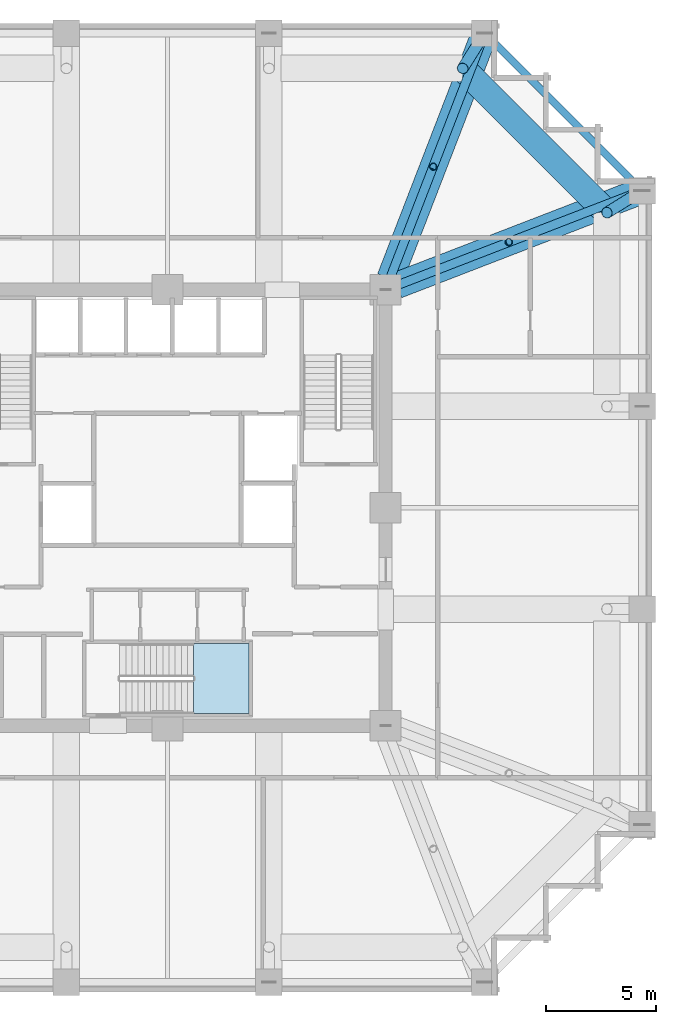
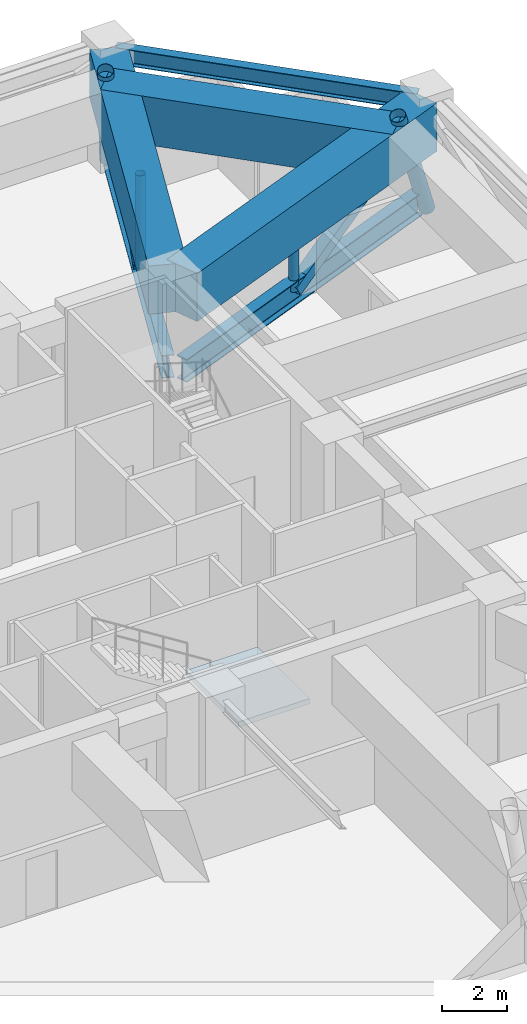
# One storey, part 6 of 15: 6 beams, 6 members, 1 slab, 1 element without a shape of its own.
"""IFC4 building model written with IfcOpenShell, lengths in metres."""

import ifcopenshell
import ifcopenshell.guid

model = None  # the IFC model being written
_history = None  # IfcOwnerHistory: only IFC2X3 demands one
_inside = {}  # id of a spatial element -> (the spatial element, [elements in it])
_under = {}  # id of a project, library or spatial element -> (it, [spatial elements below it])
_declared = {}  # id of a project -> (the project, [libraries it declares])
_typed = {}  # id of a type object -> (the type object, [elements of that type])
_made_of = {}  # id of a material, layer set ... -> (it, [elements and type objects made of it])


def new_model(schema):
    """Start an empty IFC model of exactly this schema.

    Asked for "IFC4X3", IfcOpenShell would pick the latest addendum, in which some entities
    have other attributes; the version numbers below select the first issue.
    IFC2X3 requires an IfcOwnerHistory on every rooted entity: one is made here for all.
    """
    global model, _history
    if schema == "IFC4X3":
        model = ifcopenshell.file(schema_version=(4, 3, 0, 0))
    else:
        model = ifcopenshell.file(schema=schema)
    _inside.clear()
    _under.clear()
    _declared.clear()
    _typed.clear()
    _made_of.clear()
    _history = None
    if model.schema == "IFC2X3":
        org = make("IfcOrganization", Name="unknown")
        user = make(
            "IfcPersonAndOrganization",
            ThePerson=make("IfcPerson", FamilyName="unknown"),
            TheOrganization=org,
        )
        app = make(
            "IfcApplication",
            ApplicationDeveloper=org,
            Version="unknown",
            ApplicationFullName="unknown",
            ApplicationIdentifier="unknown",
        )
        _history = make(
            "IfcOwnerHistory",
            OwningUser=user,
            OwningApplication=app,
            ChangeAction="ADDED",
            CreationDate=0,
        )
    return model


def make(cls, **values):
    """One entity of the class cls with the attributes given. An attribute that is None is left unset."""
    return model.create_entity(
        cls, **{name: value for name, value in values.items() if value is not None}
    )


def rooted(cls, **values):
    """An entity with a GlobalId (a new one), such as an element, a storey or a relation."""
    return make(cls, GlobalId=ifcopenshell.guid.new(), OwnerHistory=_history, **values)


def si_unit(unit_type, name, prefix=None):
    """IfcSIUnit, for example si_unit("LENGTHUNIT", "METRE", prefix="MILLI")."""
    return make("IfcSIUnit", UnitType=unit_type, Prefix=prefix, Name=name)


def assignment(units):
    """IfcUnitAssignment: the units of a project."""
    return None if units is None else make("IfcUnitAssignment", Units=units)


def point(xyz):
    """IfcCartesianPoint."""
    return None if xyz is None else make("IfcCartesianPoint", Coordinates=xyz)


def direction(xyz):
    """IfcDirection."""
    return None if xyz is None else make("IfcDirection", DirectionRatios=xyz)


def frame(location, z_axis=None, x_axis=None):
    """IfcAxis2Placement3D, a coordinate frame: its origin and axes. An axis left out is left unset."""
    return make(
        "IfcAxis2Placement3D",
        Location=point(location),
        Axis=direction(z_axis),
        RefDirection=direction(x_axis),
    )


def frame_2d(location, x_axis=None):
    """IfcAxis2Placement2D, a coordinate frame in the plane: its origin and x axis."""
    return make(
        "IfcAxis2Placement2D", Location=point(location), RefDirection=direction(x_axis)
    )


def origin():
    """The frame at (0, 0, 0) with its axes left unset."""
    return frame((0.0, 0.0, 0.0))


def origin_2d():
    """The frame at (0, 0) in the plane with its x axis left unset."""
    return frame_2d((0.0, 0.0))


def place(relative_to, where):
    """IfcLocalPlacement: puts the frame where relative to a parent placement (None: the world)."""
    return make(
        "IfcLocalPlacement", PlacementRelTo=relative_to, RelativePlacement=where
    )


def context(
    kind, dimensions, precision=None, world=None, true_north=None, identifier=None
):
    """IfcGeometricRepresentationContext, for example the 3D "Model" context."""
    return make(
        "IfcGeometricRepresentationContext",
        ContextIdentifier=identifier,
        ContextType=kind,
        CoordinateSpaceDimension=dimensions,
        Precision=precision,
        WorldCoordinateSystem=world,
        TrueNorth=true_north,
    )


def subcontext(parent, identifier, kind, view, scale=None):
    """IfcGeometricRepresentationSubContext, for example "Body" below "Model"."""
    return make(
        "IfcGeometricRepresentationSubContext",
        ContextIdentifier=identifier,
        ContextType=kind,
        ParentContext=parent,
        TargetScale=scale,
        TargetView=view,
    )


def project(units=None, contexts=None):
    """IfcProject with its units and contexts."""
    return rooted(
        "IfcProject",
        Name="project",
        RepresentationContexts=contexts,
        UnitsInContext=assignment(units),
    )


def spatial(cls, under=None, at=None, **own):
    """A site, building, storey or space (cls), placed at a placement, below another one or the project."""
    s = rooted(cls, ObjectPlacement=at, **own)
    if under is not None:
        _under.setdefault(under.id(), (under, []))[1].append(s)
    return s


def polyline(points):
    """IfcPolyline through the points."""
    return make("IfcPolyline", Points=[point(p) for p in points])


def profile(cls, at=None, kind="AREA", **sizes):
    """A parametric profile (cls). Its sizes go by their IFC names, for example OverallWidth=200.0."""
    return make(cls, ProfileType=kind, Position=at, **sizes)


def rectangle(**sizes):
    """IfcRectangleProfileDef."""
    return profile("IfcRectangleProfileDef", **sizes)


def hollow_rectangle(**sizes):
    """IfcRectangleHollowProfileDef."""
    return profile("IfcRectangleHollowProfileDef", **sizes)


def hollow_circle(**sizes):
    """IfcCircleHollowProfileDef."""
    return profile("IfcCircleHollowProfileDef", **sizes)


def i_section(**sizes):
    """IfcIShapeProfileDef."""
    return profile("IfcIShapeProfileDef", **sizes)


def outline(outer, holes=None, kind="AREA"):
    """IfcArbitraryClosedProfileDef: a profile drawn as a closed curve; with holes, ...WithVoids."""
    if holes is None:
        return make("IfcArbitraryClosedProfileDef", ProfileType=kind, OuterCurve=outer)
    return make(
        "IfcArbitraryProfileDefWithVoids",
        ProfileType=kind,
        OuterCurve=outer,
        InnerCurves=holes,
    )


def extrude(swept, where, along, depth):
    """IfcExtrudedAreaSolid: the profile swept, set in the frame where, extruded along a direction by depth."""
    return make(
        "IfcExtrudedAreaSolid",
        SweptArea=swept,
        Position=where,
        ExtrudedDirection=direction(along),
        Depth=depth,
    )


def shape(context_of_items, identifier, shape_type, items):
    """IfcShapeRepresentation: the items that make up one representation, for example the "Body"."""
    return make(
        "IfcShapeRepresentation",
        ContextOfItems=context_of_items,
        RepresentationIdentifier=identifier,
        RepresentationType=shape_type,
        Items=items,
    )


def material(Name=None, Category=None):
    """IfcMaterial."""
    return make("IfcMaterial", Name=Name, Category=Category)


def layer(
    of_material, thickness, ventilated=None, Name=None, Category=None, Priority=None
):
    """IfcMaterialLayer: one layer of a wall or slab, of a material (None: an air gap)."""
    return make(
        "IfcMaterialLayer",
        Material=of_material,
        LayerThickness=thickness,
        IsVentilated=ventilated,
        Name=Name,
        Category=Category,
        Priority=Priority,
    )


def layer_set(layers, Name=None):
    """IfcMaterialLayerSet."""
    return make("IfcMaterialLayerSet", MaterialLayers=layers, LayerSetName=Name)


def material_profile(
    of_material, cross_section, Name=None, Category=None, Priority=None
):
    """IfcMaterialProfile: a cross section and its material."""
    return make(
        "IfcMaterialProfile",
        Name=Name,
        Material=of_material,
        Profile=cross_section,
        Priority=Priority,
        Category=Category,
    )


def profile_set(profiles, Name=None, composite=None):
    """IfcMaterialProfileSet."""
    return make(
        "IfcMaterialProfileSet",
        Name=Name,
        MaterialProfiles=profiles,
        CompositeProfile=composite,
    )


def made_of(thing, what):
    """Note that an element or type object is made of a material, layer set ...; save() writes the relation."""
    if what is not None:
        _made_of.setdefault(what.id(), (what, []))[1].append(thing)
    return thing


def type_object(cls, material=None, **own):
    """A type object (cls), such as IfcWallType, which elements share."""
    return made_of(rooted(cls, **own), material)


def element(
    cls,
    number,
    at=None,
    inside=None,
    cuts=None,
    type_object=None,
    material=None,
    context=None,
    identifier="Body",
    shape_type=None,
    held_by="IfcProductDefinitionShape",
    body=None,
    shapes=None,
    **own,
):
    """One element of the class cls, such as IfcWall. Its Tag is "e" and its number.

    at: its placement. inside: the storey or other place that contains it. cuts: it is an
    opening in that element (IfcRelVoidsElement). A single representation is given by context,
    identifier, shape_type and body (its items); several are given by shapes. held_by: the class
    of the entity that holds the representations. save() writes the other relations.
    """
    e = rooted(cls, Tag="e%d" % number, ObjectPlacement=at, **own)
    if body is not None:
        shapes = [shape(context, identifier, shape_type, body)]
    if shapes is not None:
        e.Representation = make(held_by, Representations=shapes)
    if inside is not None:
        _inside.setdefault(inside.id(), (inside, []))[1].append(e)
    if cuts is not None:
        rooted(
            "IfcRelVoidsElement", RelatingBuildingElement=cuts, RelatedOpeningElement=e
        )
    if type_object is not None:
        _typed.setdefault(type_object.id(), (type_object, []))[1].append(e)
    return made_of(e, material)


def aggregate(whole, parts):
    """IfcRelAggregates: a whole, such as a stair, and the parts it consists of."""
    return rooted("IfcRelAggregates", RelatingObject=whole, RelatedObjects=parts)


def save(model, path):
    """Write the relations noted so far, then the file.

    IfcRelAggregates (storeys below a building ...), IfcRelContainedInSpatialStructure (elements
    in a storey), IfcRelDefinesByType, IfcRelAssociatesMaterial and IfcRelDeclares: one each for
    every whole, place, type object, material and project.
    """
    for whole, parts in _under.values():
        aggregate(whole, parts)
    for where, things in _inside.values():
        rooted(
            "IfcRelContainedInSpatialStructure",
            RelatedElements=things,
            RelatingStructure=where,
        )
    for kind, things in _typed.values():
        rooted("IfcRelDefinesByType", RelatedObjects=things, RelatingType=kind)
    for what, things in _made_of.values():
        rooted("IfcRelAssociatesMaterial", RelatedObjects=things, RelatingMaterial=what)
    for by, libraries in _declared.values():
        rooted("IfcRelDeclares", RelatingContext=by, RelatedDefinitions=libraries)
    model.write(path)


model = new_model("IFC4")

# Units and contexts
model_context = context("Model", 3, precision=1e-05, world=origin(), true_north=direction((0.0, 1.0)))
body_context = subcontext(model_context, "Body", "Model", "MODEL_VIEW")
ifc_project = project(units=[si_unit("LENGTHUNIT", "METRE"), si_unit("AREAUNIT", "SQUARE_METRE"), si_unit("VOLUMEUNIT", "CUBIC_METRE"), si_unit("PLANEANGLEUNIT", "RADIAN"), si_unit("MASSUNIT", "GRAM", prefix="KILO")], contexts=[model_context])

# Site, building, storey
site_placement = place(None, origin())
site = spatial("IfcSite", under=ifc_project, at=site_placement, CompositionType="ELEMENT")
building_placement = place(site_placement, origin())
building = spatial("IfcBuilding", under=site, at=building_placement, Name="Kolvaren Belvedere", CompositionType="ELEMENT")
storey_placement = place(building_placement, frame((0.0, 0.0, 63.39990234375)))
storey = spatial("IfcBuildingStorey", under=building, at=storey_placement, Name="L18", CompositionType="ELEMENT", Elevation=63.39990234375)

# Beams
ifc_material_1 = material(Name="Structural steel ASTM A992 Grade 50", Category="steel")
ifc_material_profile_1 = material_profile(ifc_material_1, i_section(OverallWidth=0.39990234375, OverallDepth=0.85595703125, WebThickness=0.018310546875, FlangeThickness=0.029296875, FilletRadius=0.02490234375, at=origin_2d()), Name="W33X201")
ifc_profile_set_1 = profile_set([ifc_material_profile_1], Name="Structural steel ASTM A992 Grade 50")
beam_type_1 = type_object("IfcBeamType", Name="BM-GIRD-W33X201", PredefinedType="BEAM", material=ifc_profile_set_1)
for number, where, z_axis, x_axis, name in (
    (1, (10.09814453125, 10.4130859375, 0.47998046875), (0.360321534967, 0.932828168228, 0.0), (-0.932828168228, 0.360321534967, 0.0), "L18 Outrigger Truss Bottom Chord OB-5"),
    (2, (10.4130859375, 10.09814453125, 0.47998046875), (0.932828168228, 0.360321534967, 0.0), (-0.360321534967, 0.932828168228, 0.0), "L18 Outrigger Truss Bottom Chord OB-6"),
):
    element("IfcBeam", number, at=place(storey_placement, frame(where, z_axis=z_axis, x_axis=x_axis)), inside=storey, type_object=beam_type_1, Name=name, PredefinedType="BEAM", context=body_context, shape_type="SweptSolid", body=[
        extrude(i_section(OverallWidth=0.39990234375, OverallDepth=0.85595703125, WebThickness=0.018310546875, FlangeThickness=0.029296875, FilletRadius=0.02490234375, at=origin_2d()), origin(), (0.0, 0.0, 1.0), 11.48876953125),
    ])
ifc_material_2 = material(Name="Structural steel ASTM A992 Grade 50", Category="steel")
ifc_material_profile_2 = material_profile(ifc_material_2, i_section(OverallWidth=0.324951171875, OverallDepth=0.615966796875, WebThickness=0.013916015625, FlangeThickness=0.021484375, FilletRadius=0.02001953125, at=origin_2d()), Name="W24X117")
ifc_profile_set_2 = profile_set([ifc_material_profile_2], Name="Structural steel ASTM A992 Grade 50")
beam_type_2 = type_object("IfcBeamType", Name="BM-SPAN-W24X117", PredefinedType="SPANDREL", material=ifc_profile_set_2)
beam_1_placement = place(storey_placement, frame((21.359130859375, 14.5908203125, 3.9921875), z_axis=(-0.707106781187, 0.707106781187, 0.0), x_axis=(-0.707106781187, -0.707106781187, 0.0)))
element("IfcBeam", 3, at=beam_1_placement, inside=storey, type_object=beam_type_2, Name="L18 Perimeter Spandrel E4-N4", PredefinedType="SPANDREL", context=body_context, shape_type="SweptSolid", body=[
    extrude(i_section(OverallWidth=0.324951171875, OverallDepth=0.615966796875, WebThickness=0.013916015625, FlangeThickness=0.021484375, FilletRadius=0.02001953125, at=origin_2d()), origin(), (0.0, 0.0, 1.0), 9.57177734375),
])
ifc_material_3 = material(Name="Concrete C50/60", Category="concrete")
ifc_material_profile_3 = material_profile(ifc_material_3, rectangle(XDim=1.199951171875, YDim=1.800048828125, at=origin_2d()), Name="RC 1200X1800")
ifc_profile_set_3 = profile_set([ifc_material_profile_3], Name="Concrete C50/60")
beam_type_3 = type_object("IfcBeamType", Name="BM-TG-1800", PredefinedType="BEAM", material=ifc_profile_set_3)
beam_2_placement = place(storey_placement, frame((19.949951171875, 13.39990234375, 3.400146484375), z_axis=(-0.707106781187, 0.707106781187, 0.0), x_axis=(-0.707106781187, -0.707106781187, 0.0)))
element("IfcBeam", 4, at=beam_2_placement, inside=storey, type_object=beam_type_3, Name="L18 Step Transfer Ring Girder E4-N4", PredefinedType="BEAM", context=body_context, shape_type="SweptSolid", body=[
    extrude(rectangle(XDim=1.199951171875, YDim=1.800048828125, at=origin_2d()), origin(), (0.0, 0.0, 1.0), 9.26318359375),
])
for number, where, z_axis, x_axis, name in (
    (5, (10.09814453125, 10.4130859375, 3.400146484375), (0.360318391835, 0.932829382313, 0.0), (-0.932829382313, 0.360318391835, 0.0), "L18 Corner Core-to-Perimeter Girder CC3-N4"),
    (6, (10.4130859375, 10.09814453125, 3.400146484375), (0.932829382313, 0.360318391835, 0.0), (-0.360318391835, 0.932829382313, 0.0), "L18 Corner Core-to-Perimeter Girder CC3-E4"),
):
    element("IfcBeam", number, at=place(storey_placement, frame(where, z_axis=z_axis, x_axis=x_axis)), inside=storey, type_object=beam_type_3, Name=name, PredefinedType="BEAM", context=body_context, shape_type="SweptSolid", body=[
        extrude(rectangle(XDim=1.199951171875, YDim=1.800048828125, at=origin_2d()), origin(), (0.0, 0.0, 1.0), 11.698974609375),
    ])

# Members
ifc_material_4 = material(Name="Structural steel ASTM A500 Grade C", Category="steel")
ifc_material_profile_4 = material_profile(ifc_material_4, hollow_circle(Radius=0.162109375, WallThickness=0.01171875, at=origin_2d()), Name="HSS12.750X0.500")
ifc_profile_set_4 = profile_set([ifc_material_profile_4], Name="Structural steel ASTM A500 Grade C")
member_type_1 = type_object("IfcMemberType", Name="MB-CAN-POST", PredefinedType="POST", material=ifc_profile_set_4)
for number, where, z_axis, x_axis, name in (
    (7, (12.06005859375, 15.491943359375, 0.47998046875), (0.0, 0.0, 1.0), (1.0, 0.0, 0.0), "L18 Outrigger Portal Post OP-5"),
    (8, (15.491943359375, 12.06005859375, 0.47998046875), (0.0, 0.0, 1.0), (1.0, 0.0, 0.0), "L18 Outrigger Portal Post OP-6"),
):
    element("IfcMember", number, at=place(storey_placement, frame(where, z_axis=z_axis, x_axis=x_axis)), inside=storey, type_object=member_type_1, Name=name, PredefinedType="POST", context=body_context, shape_type="SweptSolid", body=[
        extrude(hollow_circle(Radius=0.162109375, WallThickness=0.01171875, at=origin_2d()), origin(), (0.0, 0.0, 1.0), 3.47021484375),
    ])
ifc_material_5 = material(Name="Structural steel ASTM A500 Grade C", Category="steel")
ifc_material_profile_5 = material_profile(ifc_material_5, hollow_rectangle(XDim=0.406005859375, YDim=0.406005859375, WallThickness=0.014892578125, at=origin_2d()), Name="HSS16X16X5/8")
ifc_profile_set_5 = profile_set([ifc_material_profile_5], Name="Structural steel ASTM A500 Grade C")
member_type_2 = type_object("IfcMemberType", Name="MB-OUTRIGGER", PredefinedType="BRACE", material=ifc_profile_set_5)
for number, where, z_axis, x_axis, name in (
    (9, (12.06005859375, 15.491943359375, 0.47998046875), (0.317771909839, 0.822745426831, 0.471286511525), (-0.932838914997, 0.360293711668, 0.0), "L18 Outrigger Truss Diagonal OT-5A"),
    (10, (15.491943359375, 12.06005859375, 0.47998046875), (0.822745426831, 0.317771909839, 0.471286511525), (-0.360293711668, 0.932838914997, 0.0), "L18 Outrigger Truss Diagonal OT-6A"),
):
    element("IfcMember", number, at=place(storey_placement, frame(where, z_axis=z_axis, x_axis=x_axis)), inside=storey, type_object=member_type_2, Name=name, PredefinedType="BRACE", context=body_context, shape_type="SweptSolid", body=[
        extrude(hollow_rectangle(XDim=0.406005859375, YDim=0.406005859375, WallThickness=0.014892578125, at=origin_2d()), origin(), (0.0, 0.0, 1.0), 7.36328125),
    ])
ifc_material_6 = material(Name="Structural steel ASTM A500 Grade C", Category="steel")
ifc_material_profile_6 = material_profile(ifc_material_6, hollow_circle(Radius=0.25390625, WallThickness=0.01171875, at=origin_2d()), Name="HSS20.000X0.500")
ifc_profile_set_6 = profile_set([ifc_material_profile_6], Name="Structural steel ASTM A500 Grade C")
member_type_3 = type_object("IfcMemberType", Name="MB-WAIST-STRUT", PredefinedType="STRUT", material=ifc_profile_set_6)
for number, where, z_axis, x_axis, name in (
    (11, (14.39990234375, 21.550048828125, 0.0), (-0.201124570501, -0.321818953873, 0.925192665378), (0.84801284173, -0.529975678933, 0.0), "L18 Inclined Waist Transition Strut N4"),
    (12, (21.550048828125, 14.39990234375, 0.0), (-0.321818953873, -0.201124570501, 0.925192665378), (0.529975678933, -0.84801284173, 0.0), "L18 Inclined Waist Transition Strut E4"),
):
    element("IfcMember", number, at=place(storey_placement, frame(where, z_axis=z_axis, x_axis=x_axis)), inside=storey, type_object=member_type_3, Name=name, PredefinedType="STRUT", context=body_context, shape_type="SweptSolid", body=[
        extrude(hollow_circle(Radius=0.25390625, WallThickness=0.01171875, at=origin_2d()), origin(), (0.0, 0.0, 1.0), 4.971923828125),
    ])

# Stair, slab
ifc_material_7 = material(Name="Concrete C50/60", Category="concrete")
stair_type = type_object("IfcStairType", Name="ST-CORE-1520", PredefinedType="HALF_TURN_STAIR", material=ifc_material_7)
stair_placement = place(storey_placement, origin())
stair = element("IfcStair", 13, at=stair_placement, inside=storey, type_object=stair_type, Name="L18 Protected Exit Stair ST-3", PredefinedType="HALF_TURN_STAIR")
ifc_material_8 = material(Name="Concrete C50/60", Category="concrete")
ifc_layer = layer(ifc_material_8, 0.260009765625)
ifc_layer_set = layer_set([ifc_layer], Name="Concrete C50/60")
slab_type = type_object("IfcSlabType", Name="SL-LAND-260", PredefinedType="LANDING", material=ifc_layer_set)
slab_placement = place(storey_placement, frame((0.0, 0.0, 2.10009765625)))
slab = element("IfcSlab", 14, at=slab_placement, type_object=slab_type, Name="ST-3 landing 1", PredefinedType="LANDING", context=body_context, shape_type="SweptSolid", body=[
    extrude(outline(polyline([(1.179931640625, -9.35009765625), (3.699951171875, -9.35009765625), (3.699951171875, -6.159912109375), (1.179931640625, -6.159912109375), (1.179931640625, -9.35009765625)])), origin(), (0.0, 0.0, 1.0), 0.199951171875),
])
aggregate(stair, [slab])

save(model, "model.ifc")
